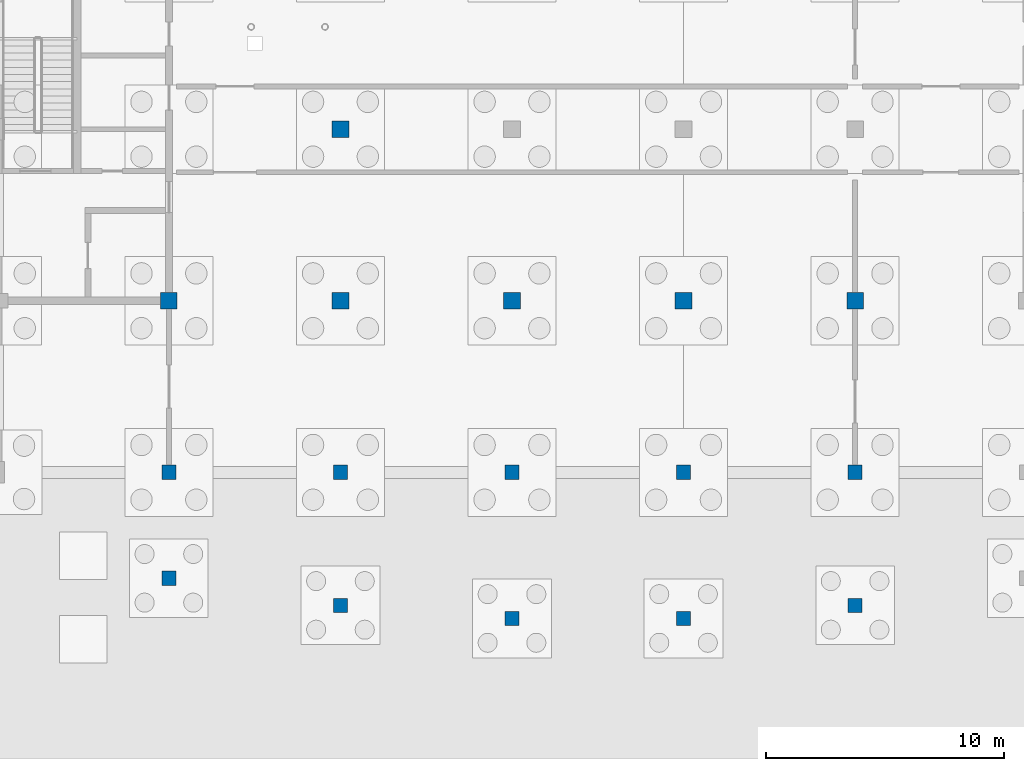
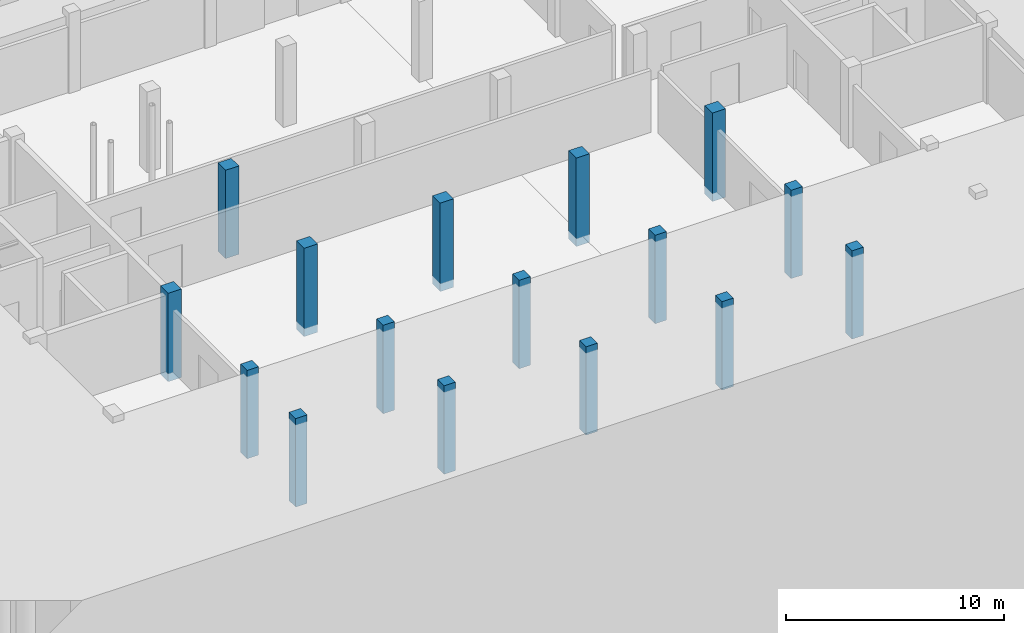
# One storey, part 12 of 51: 16 columns.
"""IFC4 building model written with IfcOpenShell, lengths in metres."""

from ifc_helpers import new_model, si_unit, direction, frame, origin, origin_2d, place, context, subcontext, project, spatial, rectangle, extrude, material, material_profile, profile_set, type_object, element, save


model = new_model("IFC4")

# Units and contexts
model_context = context("Model", 3, precision=1e-05, world=origin(), true_north=direction((0.0, 1.0)))
body_context = subcontext(model_context, "Body", "Model", "MODEL_VIEW")
ifc_project = project(units=[si_unit("LENGTHUNIT", "METRE"), si_unit("AREAUNIT", "SQUARE_METRE"), si_unit("VOLUMEUNIT", "CUBIC_METRE"), si_unit("PLANEANGLEUNIT", "RADIAN"), si_unit("MASSUNIT", "GRAM", prefix="KILO")], contexts=[model_context])

# Site, building, storey
site_placement = place(None, origin())
site = spatial("IfcSite", under=ifc_project, at=site_placement, CompositionType="ELEMENT")
building_placement = place(site_placement, origin())
building = spatial("IfcBuilding", under=site, at=building_placement, Name="Zlatovets Crest Museum", CompositionType="ELEMENT")
storey_placement = place(building_placement, frame((0.0, 0.0, -4.5)))
storey = spatial("IfcBuildingStorey", under=building, at=storey_placement, Name="B1", CompositionType="ELEMENT", Elevation=-4.5)

# Columns
ifc_material = material(Name="Concrete C35/45", Category="concrete")
ifc_material_profile_1 = material_profile(ifc_material, rectangle(XDim=0.699951171875, YDim=0.699951171875, at=origin_2d()), Name="RC 700x700")
ifc_profile_set_1 = profile_set([ifc_material_profile_1], Name="Concrete C35/45")
column_type_1 = type_object("IfcColumnType", Name="Col_C-01", PredefinedType="COLUMN", material=ifc_profile_set_1)
for number, where, z_axis, x_axis, name in (
    (1, (64.800048828125, 7.199951171875, -0.449951171875), (0.0, 0.0, 1.0), (1.0, 0.0, 0.0), "V2 B1 Column (64.8, 7.2)"),
    (2, (72.0, 7.199951171875, -0.449951171875), (0.0, 0.0, 1.0), (0.0, 1.0, 0.0), "V2 B1 Column (72.0, 7.2)"),
    (3, (72.0, 14.39990234375, -0.449951171875), (0.0, 0.0, 1.0), (1.0, 0.0, 0.0), "V2 B1 Column (72.0, 14.4)"),
    (4, (79.199951171875, 7.199951171875, -0.449951171875), (0.0, 0.0, 1.0), (1.0, 0.0, 0.0), "V2 B1 Column (79.2, 7.2)"),
    (5, (86.39990234375, 7.199951171875, -0.449951171875), (0.0, 0.0, 1.0), (0.0, 1.0, 0.0), "V2 B1 Column (86.4, 7.2)"),
    (6, (93.60009765625, 7.199951171875, -0.449951171875), (0.0, 0.0, 1.0), (1.0, 0.0, 0.0), "V2 B1 Column (93.6, 7.2)"),
):
    element("IfcColumn", number, at=place(storey_placement, frame(where, z_axis=z_axis, x_axis=x_axis)), inside=storey, type_object=column_type_1, Name=name, PredefinedType="COLUMN", context=body_context, shape_type="SweptSolid", body=[
        extrude(rectangle(XDim=0.699951171875, YDim=0.699951171875, at=origin_2d()), origin(), (0.0, 0.0, 1.0), 4.949951171875),
    ])
ifc_material_profile_2 = material_profile(ifc_material, rectangle(XDim=0.60009765625, YDim=0.60009765625, at=origin_2d()), Name="RC 600x600")
ifc_profile_set_2 = profile_set([ifc_material_profile_2], Name="Concrete C35/45")
column_type_2 = type_object("IfcColumnType", Name="Col_C-02", PredefinedType="COLUMN", material=ifc_profile_set_2)
for number, where, z_axis, x_axis, name in (
    (7, (64.800048828125, 0.0, -0.449951171875), (0.0, 0.0, 1.0), (0.0, 1.0, 0.0), "V2 B1 Column (64.8, 0.0)"),
    (8, (72.0, 0.0, -0.449951171875), (0.0, 0.0, 1.0), (1.0, 0.0, 0.0), "V2 B1 Column (72.0, 0.0)"),
    (9, (79.199951171875, 0.0, -0.449951171875), (0.0, 0.0, 1.0), (0.0, 1.0, 0.0), "V2 B1 Column (79.2, 0.0)"),
    (10, (86.39990234375, 0.0, -0.449951171875), (0.0, 0.0, 1.0), (1.0, 0.0, 0.0), "V2 B1 Column (86.4, 0.0)"),
    (11, (93.60009765625, 0.0, -0.449951171875), (0.0, 0.0, 1.0), (0.0, 1.0, 0.0), "V2 B1 Column (93.6, 0.0)"),
    (12, (64.800048828125, -4.448486328125, -0.449951171875), (0.0, 0.0, 1.0), (1.0, 0.0, 0.0), "Entrance Marquee Substructure Pier"),
    (13, (72.0, -5.584716796875, -0.449951171875), (0.0, 0.0, 1.0), (1.0, 0.0, 0.0), "Entrance Marquee Substructure Pier"),
    (14, (79.199951171875, -6.13232421875, -0.449951171875), (0.0, 0.0, 1.0), (1.0, 0.0, 0.0), "Entrance Marquee Substructure Pier"),
    (15, (86.39990234375, -6.13232421875, -0.449951171875), (0.0, 0.0, 1.0), (1.0, 0.0, 0.0), "Entrance Marquee Substructure Pier"),
    (16, (93.60009765625, -5.584716796875, -0.449951171875), (0.0, 0.0, 1.0), (1.0, 0.0, 0.0), "Entrance Marquee Substructure Pier"),
):
    element("IfcColumn", number, at=place(storey_placement, frame(where, z_axis=z_axis, x_axis=x_axis)), inside=storey, type_object=column_type_2, Name=name, PredefinedType="COLUMN", context=body_context, shape_type="SweptSolid", body=[
        extrude(rectangle(XDim=0.60009765625, YDim=0.60009765625, at=origin_2d()), origin(), (0.0, 0.0, 1.0), 4.949951171875),
    ])

save(model, "model.ifc")
